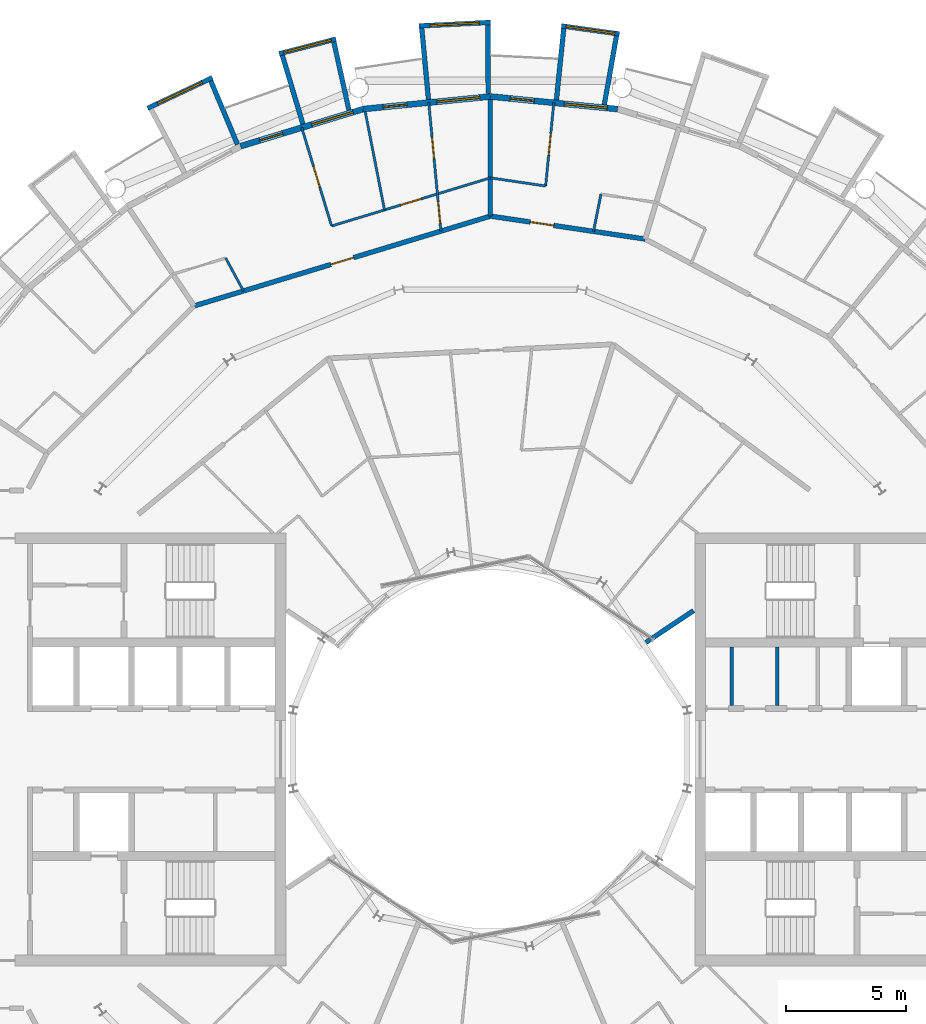
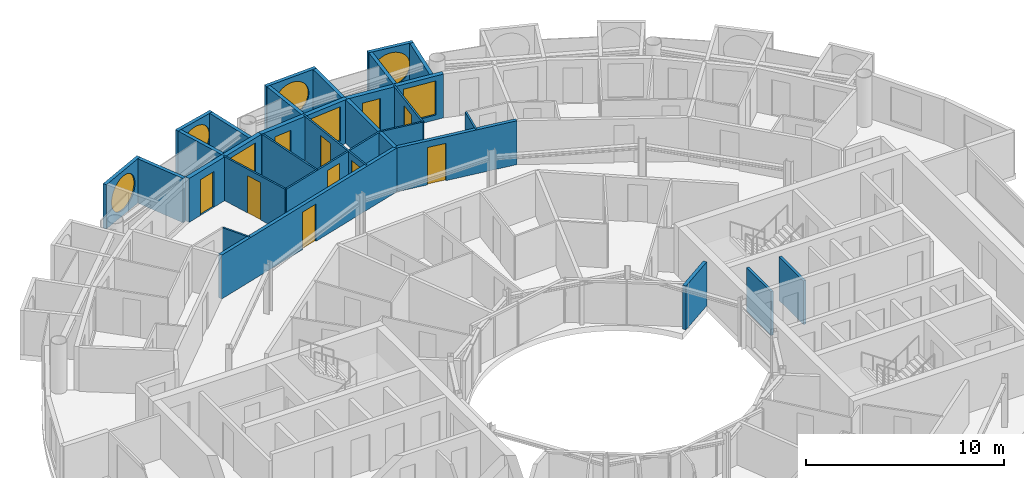
# One storey, part 22 of 29: 28 walls, 10 doors, 7 windows, 17 openings.
"""IFC4 building model written with IfcOpenShell, lengths in metres."""

from ifc_helpers import new_model, si_unit, direction, frame, frame_2d, origin, place, context, subcontext, project, spatial, rectangle, circle, extrude, material, layer, layer_set, type_object, element, fill, save


model = new_model("IFC4")

# Units and contexts
model_context = context("Model", 3, precision=1e-05, world=origin(), true_north=direction((0.0, 1.0)))
body_context = subcontext(model_context, "Body", "Model", "MODEL_VIEW")
ifc_project = project(units=[si_unit("LENGTHUNIT", "METRE"), si_unit("AREAUNIT", "SQUARE_METRE"), si_unit("VOLUMEUNIT", "CUBIC_METRE"), si_unit("PLANEANGLEUNIT", "RADIAN"), si_unit("MASSUNIT", "GRAM", prefix="KILO")], contexts=[model_context])

# Site, building, storey
site_placement = place(None, origin())
site = spatial("IfcSite", under=ifc_project, at=site_placement, CompositionType="ELEMENT")
building_placement = place(site_placement, origin())
building = spatial("IfcBuilding", under=site, at=building_placement, Name="Maasbend Ring Residences", CompositionType="ELEMENT")
storey_placement = place(building_placement, frame((0.0, 0.0, 205.449951171875)))
storey = spatial("IfcBuildingStorey", under=building, at=storey_placement, Name="L59", CompositionType="ELEMENT", Elevation=205.449951171875)

# Wall, opening, door
ifc_material_1 = material(Name="Concrete C30/37", Category="concrete")
ifc_layer_1 = layer(ifc_material_1, 0.199951171875)
ifc_layer_set_1 = layer_set([ifc_layer_1], Name="Concrete C30/37")
wall_type_1 = type_object("IfcWallType", Name="CORRIDOR WALL 200 CONCRETE", PredefinedType="PARTITIONING", material=ifc_layer_set_1)
wall_1_placement = place(storey_placement, frame((-12.388916015625, 18.5419921875, 0.0), z_axis=(0.0, 0.0, 1.0), x_axis=(0.956994750783, 0.290105234311, 0.0)))
wall_1 = element("IfcWall", 1, at=wall_1_placement, inside=storey, type_object=wall_type_1, Name="U-L59-w104", PredefinedType="PARTITIONING", context=body_context, shape_type="SweptSolid", body=[
    extrude(rectangle(XDim=12.95068359375, YDim=0.199951171875, at=frame_2d((6.475341796875, 0.0))), origin(), (0.0, 0.0, 1.0), 2.699951171875),
])
opening_1_placement = place(wall_1_placement, frame((5.97412109375, 0.0, 0.0)))
opening_1 = element("IfcOpeningElement", 2, at=opening_1_placement, cuts=wall_1, Name="Opening D-5911", PredefinedType="OPENING", context=body_context, shape_type="SweptSolid", body=[
    extrude(rectangle(XDim=1.0, YDim=2.300048828125, at=frame_2d((0.5, 1.14990234375))), frame((0.0, 0.10986328125, 0.0), z_axis=(0.0, -1.0, 0.0), x_axis=(1.0, 0.0, 0.0)), (0.0, 0.0, 1.0), 0.219970703125),
])
ifc_material_2 = material(Name="Timber, fire-rated, painted", Category="wood")
door_type_1 = type_object("IfcDoorType", Name="FLAT ENTRANCE DOOR 1000 X 2300 FIRE-RATED", OperationType="NOTDEFINED", PredefinedType="DOOR", material=ifc_material_2)
door_1_placement = place(opening_1_placement, origin())
door_1 = element("IfcDoor", 3, at=door_1_placement, inside=storey, type_object=door_type_1, Name="D-5911", OperationType="SINGLE_SWING_LEFT", OverallHeight=2.300048828125, OverallWidth=1.0, PredefinedType="DOOR", context=body_context, shape_type="SweptSolid", body=[
    extrude(rectangle(XDim=1.0, YDim=2.300048828125, at=frame_2d((0.5, 1.14990234375))), frame((0.0, 0.02490234375, 0.0), z_axis=(0.0, -1.0, 0.0), x_axis=(1.0, 0.0, 0.0)), (0.0, 0.0, 1.0), 0.050048828125),
])
fill(opening_1, door_1)

wall_2_placement = place(storey_placement, frame((0.0, 22.300048828125, 0.0), z_axis=(0.0, 0.0, 1.0), x_axis=(0.989181015112, -0.146700100005, 0.0)))
wall_2 = element("IfcWall", 4, at=wall_2_placement, inside=storey, type_object=wall_type_1, Name="U-L59-w109", PredefinedType="PARTITIONING", context=body_context, shape_type="SweptSolid", body=[
    extrude(rectangle(XDim=6.543701171875, YDim=0.199951171875, at=frame_2d((3.27197265625, 0.0))), origin(), (0.0, 0.0, 1.0), 2.699951171875),
])
opening_2_placement = place(wall_2_placement, frame((1.681884765625, 0.0, 0.0)))
opening_2 = element("IfcOpeningElement", 5, at=opening_2_placement, cuts=wall_2, Name="Opening D-5908", PredefinedType="OPENING", context=body_context, shape_type="SweptSolid", body=[
    extrude(rectangle(XDim=1.0, YDim=2.300048828125, at=frame_2d((0.5, 1.14990234375))), frame((0.0, 0.10986328125, 0.0), z_axis=(0.0, -1.0, 0.0), x_axis=(1.0, 0.0, 0.0)), (0.0, 0.0, 1.0), 0.219970703125),
])
door_2_placement = place(opening_2_placement, origin())
door_2 = element("IfcDoor", 6, at=door_2_placement, inside=storey, type_object=door_type_1, Name="D-5908", OperationType="SINGLE_SWING_LEFT", OverallHeight=2.300048828125, OverallWidth=1.0, PredefinedType="DOOR", context=body_context, shape_type="SweptSolid", body=[
    extrude(rectangle(XDim=1.0, YDim=2.300048828125, at=frame_2d((0.5, 1.14990234375))), frame((0.0, 0.02490234375, 0.0), z_axis=(0.0, -1.0, 0.0), x_axis=(1.0, 0.0, 0.0)), (0.0, 0.0, 1.0), 0.050048828125),
])
fill(opening_2, door_2)

# Wall, opening, window
ifc_material_3 = material(Name="Pale anodised aluminium panel", Category="aluminium")
ifc_layer_2 = layer(ifc_material_3, 0.199951171875)
ifc_layer_set_2 = layer_set([ifc_layer_2], Name="EW-BOX")
wall_type_2 = type_object("IfcWallType", Name="EW-BOX", PredefinedType="SOLIDWALL", material=ifc_layer_set_2)
wall_3_placement = place(storey_placement, frame((5.39794921875, 29.9169921875, -0.030029296875), z_axis=(0.0, 0.0, 1.0), x_axis=(-0.990462016113, 0.137786046596, 0.0)))
wall_3 = element("IfcWall", 7, at=wall_3_placement, inside=storey, type_object=wall_type_2, Name="Box front N09", PredefinedType="SOLIDWALL", context=body_context, shape_type="SweptSolid", body=[
    extrude(rectangle(XDim=2.4453125, YDim=0.199951171875, at=frame_2d((1.22265625, 0.0))), origin(), (0.0, 0.0, 1.0), 2.72998046875),
])
opening_3_placement = place(wall_3_placement, frame((0.182861328125, 0.0, 0.330078125)))
opening_3 = element("IfcOpeningElement", 8, at=opening_3_placement, cuts=wall_3, Name="Opening W-RD", PredefinedType="OPENING", context=body_context, shape_type="SweptSolid", body=[
    extrude(circle(Radius=1.0400390625, at=frame_2d((1.0400390625, 1.0400390625))), frame((0.0, 0.10986328125, 0.0), z_axis=(0.0, -1.0, 0.0), x_axis=(1.0, 0.0, 0.0)), (0.0, 0.0, 1.0), 0.219970703125),
])
ifc_material_4 = material(Name="Aluminium and clear glass", Category="aluminium")
window_type_1 = type_object("IfcWindowType", Name="W-RD", PartitioningType="SINGLE_PANEL", PredefinedType="WINDOW", material=ifc_material_4)
window_1_placement = place(opening_3_placement, origin())
window_1 = element("IfcWindow", 9, at=window_1_placement, inside=storey, type_object=window_type_1, Name="Round window N09", OverallHeight=2.080078125, OverallWidth=2.080078125, PartitioningType="SINGLE_PANEL", PredefinedType="WINDOW", context=body_context, shape_type="SweptSolid", body=[
    extrude(circle(Radius=1.0400390625, at=frame_2d((1.0400390625, 1.0400390625))), frame((0.0, 0.030029296875, 0.0), z_axis=(0.0, -1.0, 0.0), x_axis=(1.0, 0.0, 0.0)), (0.0, 0.0, 1.0), 0.06005859375),
])
fill(opening_3, window_1)

# Walls
wall_4_placement = place(storey_placement, frame((4.76904296875, 26.9560546875, -0.030029296875), z_axis=(0.0, 0.0, 1.0), x_axis=(0.174056778901, 0.984735618183, 0.0)))
element("IfcWall", 10, at=wall_4_placement, inside=storey, type_object=wall_type_2, Name="Box side wall N09 left", PredefinedType="SOLIDWALL", context=body_context, shape_type="SweptSolid", body=[
    extrude(rectangle(XDim=2.924560546875, YDim=0.199951171875, at=frame_2d((1.46240234375, 0.0))), origin(), (0.0, 0.0, 1.0), 2.72998046875),
])
wall_5_placement = place(storey_placement, frame((2.763916015625, 27.153076171875, -0.030029296875), z_axis=(0.0, 0.0, 1.0), x_axis=(0.101505487237, 0.994834979311, 0.0)))
element("IfcWall", 11, at=wall_5_placement, inside=storey, type_object=wall_type_2, Name="Box side wall N09 right", PredefinedType="SOLIDWALL", context=body_context, shape_type="SweptSolid", body=[
    extrude(rectangle(XDim=3.006591796875, YDim=0.199951171875, at=frame_2d((1.50341796875, 0.0))), origin(), (0.0, 0.0, 1.0), 2.72998046875),
])

# Wall, opening, window
wall_6_placement = place(storey_placement, frame((0.0048828125, 30.39990234375, -0.030029296875), z_axis=(0.0, 0.0, 1.0), x_axis=(-0.998794083011, -0.049095618353, 0.0)))
wall_6 = element("IfcWall", 12, at=wall_6_placement, inside=storey, type_object=wall_type_2, Name="Box front N11", PredefinedType="SOLIDWALL", context=body_context, shape_type="SweptSolid", body=[
    extrude(rectangle(XDim=2.99365234375, YDim=0.199951171875, at=frame_2d((1.496826171875, 0.0))), origin(), (0.0, 0.0, 1.0), 2.72998046875),
])
opening_4_placement = place(wall_6_placement, frame((0.45654296875, 0.0, 0.330078125)))
opening_4 = element("IfcOpeningElement", 13, at=opening_4_placement, cuts=wall_6, Name="Opening W-RD", PredefinedType="OPENING", context=body_context, shape_type="SweptSolid", body=[
    extrude(circle(Radius=1.0400390625, at=frame_2d((1.0400390625, 1.0400390625))), frame((0.0, 0.10986328125, 0.0), z_axis=(0.0, -1.0, 0.0), x_axis=(1.0, 0.0, 0.0)), (0.0, 0.0, 1.0), 0.219970703125),
])
window_2_placement = place(opening_4_placement, origin())
window_2 = element("IfcWindow", 14, at=window_2_placement, inside=storey, type_object=window_type_1, Name="Round window N11", OverallHeight=2.080078125, OverallWidth=2.080078125, PartitioningType="SINGLE_PANEL", PredefinedType="WINDOW", context=body_context, shape_type="SweptSolid", body=[
    extrude(circle(Radius=1.0400390625, at=frame_2d((1.0400390625, 1.0400390625))), frame((0.0, 0.030029296875, 0.0), z_axis=(0.0, -1.0, 0.0), x_axis=(1.0, 0.0, 0.0)), (0.0, 0.0, 1.0), 0.06005859375),
])
fill(opening_4, window_2)

# Walls
wall_7_placement = place(storey_placement, frame((-0.090087890625, 27.4169921875, -0.030029296875), z_axis=(0.0, 0.0, 1.0), x_axis=(-0.00347308367, 0.999993968827, 0.0)))
element("IfcWall", 15, at=wall_7_placement, inside=storey, type_object=wall_type_2, Name="Box side wall N11 left", PredefinedType="SOLIDWALL", context=body_context, shape_type="SweptSolid", body=[
    extrude(rectangle(XDim=2.882080078125, YDim=0.199951171875, at=frame_2d((1.44091796875, 0.0))), origin(), (0.0, 0.0, 1.0), 2.72998046875),
])
wall_8_placement = place(storey_placement, frame((-2.5859375, 27.1708984375, -0.030029296875), z_axis=(0.0, 0.0, 1.0), x_axis=(-0.094548432284, 0.995520262954, 0.0)))
element("IfcWall", 16, at=wall_8_placement, inside=storey, type_object=wall_type_2, Name="Box side wall N11 right", PredefinedType="SOLIDWALL", context=body_context, shape_type="SweptSolid", body=[
    extrude(rectangle(XDim=3.005615234375, YDim=0.199951171875, at=frame_2d((1.5029296875, 0.0))), origin(), (0.0, 0.0, 1.0), 2.72998046875),
])

# Wall, opening, window
wall_9_placement = place(storey_placement, frame((-6.4609375, 29.705078125, -0.030029296875), z_axis=(0.0, 0.0, 1.0), x_axis=(-0.96789536872, -0.251353446784, 0.0)))
wall_9 = element("IfcWall", 17, at=wall_9_placement, inside=storey, type_object=wall_type_2, Name="Box front N13", PredefinedType="SOLIDWALL", context=body_context, shape_type="SweptSolid", body=[
    extrude(rectangle(XDim=2.44677734375, YDim=0.199951171875, at=frame_2d((1.223388671875, 0.0))), origin(), (0.0, 0.0, 1.0), 2.72998046875),
])
opening_5_placement = place(wall_9_placement, frame((0.182861328125, 0.0, 0.330078125)))
opening_5 = element("IfcOpeningElement", 18, at=opening_5_placement, cuts=wall_9, Name="Opening W-RD", PredefinedType="OPENING", context=body_context, shape_type="SweptSolid", body=[
    extrude(circle(Radius=1.0400390625, at=frame_2d((1.0400390625, 1.0400390625))), frame((0.0, 0.10986328125, 0.0), z_axis=(0.0, -1.0, 0.0), x_axis=(1.0, 0.0, 0.0)), (0.0, 0.0, 1.0), 0.219970703125),
])
window_3_placement = place(opening_5_placement, origin())
window_3 = element("IfcWindow", 19, at=window_3_placement, inside=storey, type_object=window_type_1, Name="Round window N13", OverallHeight=2.080078125, OverallWidth=2.080078125, PartitioningType="SINGLE_PANEL", PredefinedType="WINDOW", context=body_context, shape_type="SweptSolid", body=[
    extrude(circle(Radius=1.0400390625, at=frame_2d((1.0400390625, 1.0400390625))), frame((0.0, 0.030029296875, 0.0), z_axis=(0.0, -1.0, 0.0), x_axis=(1.0, 0.0, 0.0)), (0.0, 0.0, 1.0), 0.06005859375),
])
fill(opening_5, window_3)

# Walls
wall_10_placement = place(storey_placement, frame((-5.908935546875, 26.72900390625, -0.030029296875), z_axis=(0.0, 0.0, 1.0), x_axis=(-0.216409053917, 0.976302781612, 0.0)))
element("IfcWall", 20, at=wall_10_placement, inside=storey, type_object=wall_type_2, Name="Box side wall N13 left", PredefinedType="SOLIDWALL", context=body_context, shape_type="SweptSolid", body=[
    extrude(rectangle(XDim=2.92529296875, YDim=0.199951171875, at=frame_2d((1.462646484375, 0.0))), origin(), (0.0, 0.0, 1.0), 2.72998046875),
])
wall_11_placement = place(storey_placement, frame((-7.8369140625, 26.14404296875, -0.030029296875), z_axis=(0.0, 0.0, 1.0), x_axis=(-0.287064767992, 0.957911174889, 0.0)))
element("IfcWall", 21, at=wall_11_placement, inside=storey, type_object=wall_type_2, Name="Box side wall N13 right", PredefinedType="SOLIDWALL", context=body_context, shape_type="SweptSolid", body=[
    extrude(rectangle(XDim=3.00634765625, YDim=0.199951171875, at=frame_2d((1.503173828125, 0.0))), origin(), (0.0, 0.0, 1.0), 2.72998046875),
])

# Wall, opening, window
wall_12_placement = place(storey_placement, frame((-11.62890625, 28.087890625, -0.030029296875), z_axis=(0.0, 0.0, 1.0), x_axis=(-0.904000060331, -0.427532327342, 0.0)))
wall_12 = element("IfcWall", 22, at=wall_12_placement, inside=storey, type_object=wall_type_2, Name="Box front N15", PredefinedType="SOLIDWALL", context=body_context, shape_type="SweptSolid", body=[
    extrude(rectangle(XDim=2.993408203125, YDim=0.199951171875, at=frame_2d((1.49658203125, 0.0))), origin(), (0.0, 0.0, 1.0), 2.72998046875),
])
opening_6_placement = place(wall_12_placement, frame((0.45654296875, 0.0, 0.330078125)))
opening_6 = element("IfcOpeningElement", 23, at=opening_6_placement, cuts=wall_12, Name="Opening W-RD", PredefinedType="OPENING", context=body_context, shape_type="SweptSolid", body=[
    extrude(circle(Radius=1.0400390625, at=frame_2d((1.0400390625, 1.0400390625))), frame((0.0, 0.10986328125, 0.0), z_axis=(0.0, -1.0, 0.0), x_axis=(1.0, 0.0, 0.0)), (0.0, 0.0, 1.0), 0.219970703125),
])
window_4_placement = place(opening_6_placement, origin())
window_4 = element("IfcWindow", 24, at=window_4_placement, inside=storey, type_object=window_type_1, Name="Round window N15", OverallHeight=2.080078125, OverallWidth=2.080078125, PartitioningType="SINGLE_PANEL", PredefinedType="WINDOW", context=body_context, shape_type="SweptSolid", body=[
    extrude(circle(Radius=1.0400390625, at=frame_2d((1.0400390625, 1.0400390625))), frame((0.0, 0.030029296875, 0.0), z_axis=(0.0, -1.0, 0.0), x_axis=(1.0, 0.0, 0.0)), (0.0, 0.0, 1.0), 0.06005859375),
])
fill(opening_6, window_4)

# Wall
wall_13_placement = place(storey_placement, frame((-10.574951171875, 25.294921875, -0.030029296875), z_axis=(0.0, 0.0, 1.0), x_axis=(-0.385697364644, 0.922625353492, 0.0)))
element("IfcWall", 25, at=wall_13_placement, inside=storey, type_object=wall_type_2, Name="Box side wall N15 left", PredefinedType="SOLIDWALL", context=body_context, shape_type="SweptSolid", body=[
    extrude(rectangle(XDim=2.88330078125, YDim=0.199951171875, at=frame_2d((1.441650390625, 0.0))), origin(), (0.0, 0.0, 1.0), 2.72998046875),
])

# Wall, openings, door, window
ifc_material_5 = material(Name="Aluminium clad insulated panel", Category="aluminium")
ifc_layer_3 = layer(ifc_material_5, 0.25)
ifc_layer_set_3 = layer_set([ifc_layer_3], Name="EW-GL")
wall_type_3 = type_object("IfcWallType", Name="EW-GL", PredefinedType="SOLIDWALL", material=ifc_layer_set_3)
wall_14_placement = place(storey_placement, frame((5.325927734375, 26.77490234375, 0.0), z_axis=(0.0, 0.0, 1.0), x_axis=(-0.995173996315, 0.098126026407, 0.0)))
wall_14 = element("IfcWall", 26, at=wall_14_placement, inside=storey, type_object=wall_type_3, Name="External wall N05", PredefinedType="SOLIDWALL", context=body_context, shape_type="SweptSolid", body=[
    extrude(rectangle(XDim=5.351806640625, YDim=0.25, at=frame_2d((2.67578125, 0.0))), origin(), (0.0, 0.0, 1.0), 2.699951171875),
])
opening_7_placement = place(wall_14_placement, frame((0.441162109375, 0.0, 0.300048828125)))
opening_7 = element("IfcOpeningElement", 27, at=opening_7_placement, cuts=wall_14, Name="Opening W-BX", PredefinedType="OPENING", context=body_context, shape_type="SweptSolid", body=[
    extrude(rectangle(XDim=1.800048828125, YDim=2.10009765625, at=frame_2d((0.89990234375, 1.050048828125))), frame((0.0, 0.135009765625, 0.0), z_axis=(0.0, -1.0, 0.0), x_axis=(1.0, 0.0, 0.0)), (0.0, 0.0, 1.0), 0.27001953125),
])
opening_8_placement = place(wall_14_placement, frame((3.510498046875, 0.0, 0.0)))
opening_8 = element("IfcOpeningElement", 28, at=opening_8_placement, cuts=wall_14, Name="Opening D-LG", PredefinedType="OPENING", context=body_context, shape_type="SweptSolid", body=[
    extrude(rectangle(XDim=1.0, YDim=2.199951171875, at=frame_2d((0.5, 1.10009765625))), frame((0.0, 0.135009765625, 0.0), z_axis=(0.0, -1.0, 0.0), x_axis=(1.0, 0.0, 0.0)), (0.0, 0.0, 1.0), 0.27001953125),
])
ifc_material_6 = material(Name="Aluminium and clear glass", Category="aluminium")
door_type_2 = type_object("IfcDoorType", Name="D-LG", OperationType="SINGLE_SWING_LEFT", PredefinedType="DOOR", material=ifc_material_6)
door_3_placement = place(opening_8_placement, origin())
door_3 = element("IfcDoor", 29, at=door_3_placement, inside=storey, type_object=door_type_2, Name="Loggia door N10", OperationType="SINGLE_SWING_LEFT", OverallHeight=2.199951171875, OverallWidth=1.0, PredefinedType="DOOR", context=body_context, shape_type="SweptSolid", body=[
    extrude(rectangle(XDim=1.0, YDim=2.199951171875, at=frame_2d((0.5, 1.10009765625))), frame((0.0, 0.02490234375, 0.0), z_axis=(0.0, -1.0, 0.0), x_axis=(1.0, 0.0, 0.0)), (0.0, 0.0, 1.0), 0.050048828125),
])
fill(opening_8, door_3)
ifc_material_7 = material(Name="Aluminium and clear glass", Category="aluminium")
window_type_2 = type_object("IfcWindowType", Name="W-BX", PartitioningType="DOUBLE_PANEL_VERTICAL", PredefinedType="WINDOW", material=ifc_material_7)
window_5_placement = place(opening_7_placement, origin())
window_5 = element("IfcWindow", 30, at=window_5_placement, inside=storey, type_object=window_type_2, Name="Window N09 room to box", OverallHeight=2.10009765625, OverallWidth=1.800048828125, PartitioningType="SINGLE_PANEL", PredefinedType="WINDOW", context=body_context, shape_type="SweptSolid", body=[
    extrude(rectangle(XDim=1.800048828125, YDim=2.10009765625, at=frame_2d((0.89990234375, 1.050048828125))), frame((0.0, 0.030029296875, 0.0), z_axis=(0.0, -1.0, 0.0), x_axis=(1.0, 0.0, 0.0)), (0.0, 0.0, 1.0), 0.06005859375),
])
fill(opening_7, window_5)

wall_15_placement = place(storey_placement, frame((0.0, 27.300048828125, 0.0), z_axis=(0.0, 0.0, 1.0), x_axis=(-0.995173996315, -0.098126026407, 0.0)))
wall_15 = element("IfcWall", 31, at=wall_15_placement, inside=storey, type_object=wall_type_3, Name="External wall N06", PredefinedType="SOLIDWALL", context=body_context, shape_type="SweptSolid", body=[
    extrude(rectangle(XDim=5.351806640625, YDim=0.25, at=frame_2d((2.67578125, 0.0))), origin(), (0.0, 0.0, 1.0), 2.699951171875),
])
opening_9_placement = place(wall_15_placement, frame((0.441162109375, 0.0, 0.300048828125)))
opening_9 = element("IfcOpeningElement", 32, at=opening_9_placement, cuts=wall_15, Name="Opening W-BX", PredefinedType="OPENING", context=body_context, shape_type="SweptSolid", body=[
    extrude(rectangle(XDim=1.800048828125, YDim=2.10009765625, at=frame_2d((0.89990234375, 1.050048828125))), frame((0.0, 0.135009765625, 0.0), z_axis=(0.0, -1.0, 0.0), x_axis=(1.0, 0.0, 0.0)), (0.0, 0.0, 1.0), 0.27001953125),
])
opening_10_placement = place(wall_15_placement, frame((3.510498046875, 0.0, 0.0)))
opening_10 = element("IfcOpeningElement", 33, at=opening_10_placement, cuts=wall_15, Name="Opening D-LG", PredefinedType="OPENING", context=body_context, shape_type="SweptSolid", body=[
    extrude(rectangle(XDim=1.0, YDim=2.199951171875, at=frame_2d((0.5, 1.10009765625))), frame((0.0, 0.135009765625, 0.0), z_axis=(0.0, -1.0, 0.0), x_axis=(1.0, 0.0, 0.0)), (0.0, 0.0, 1.0), 0.27001953125),
])
door_4_placement = place(opening_10_placement, origin())
door_4 = element("IfcDoor", 34, at=door_4_placement, inside=storey, type_object=door_type_2, Name="Loggia door N12", OperationType="SINGLE_SWING_LEFT", OverallHeight=2.199951171875, OverallWidth=1.0, PredefinedType="DOOR", context=body_context, shape_type="SweptSolid", body=[
    extrude(rectangle(XDim=1.0, YDim=2.199951171875, at=frame_2d((0.5, 1.10009765625))), frame((0.0, 0.02490234375, 0.0), z_axis=(0.0, -1.0, 0.0), x_axis=(1.0, 0.0, 0.0)), (0.0, 0.0, 1.0), 0.050048828125),
])
fill(opening_10, door_4)
window_6_placement = place(opening_9_placement, origin())
window_6 = element("IfcWindow", 35, at=window_6_placement, inside=storey, type_object=window_type_2, Name="Window N11 room to box", OverallHeight=2.10009765625, OverallWidth=1.800048828125, PartitioningType="SINGLE_PANEL", PredefinedType="WINDOW", context=body_context, shape_type="SweptSolid", body=[
    extrude(rectangle(XDim=1.800048828125, YDim=2.10009765625, at=frame_2d((0.89990234375, 1.050048828125))), frame((0.0, 0.030029296875, 0.0), z_axis=(0.0, -1.0, 0.0), x_axis=(1.0, 0.0, 0.0)), (0.0, 0.0, 1.0), 0.06005859375),
])
fill(opening_9, window_6)

wall_16_placement = place(storey_placement, frame((-5.325927734375, 26.77490234375, 0.0), z_axis=(0.0, 0.0, 1.0), x_axis=(-0.956965678721, -0.290201119486, 0.0)))
wall_16 = element("IfcWall", 36, at=wall_16_placement, inside=storey, type_object=wall_type_3, Name="External wall N07", PredefinedType="SOLIDWALL", context=body_context, shape_type="SweptSolid", body=[
    extrude(rectangle(XDim=5.351318359375, YDim=0.25, at=frame_2d((2.67578125, 0.0))), origin(), (0.0, 0.0, 1.0), 2.699951171875),
])
opening_11_placement = place(wall_16_placement, frame((0.441162109375, 0.0, 0.300048828125)))
opening_11 = element("IfcOpeningElement", 37, at=opening_11_placement, cuts=wall_16, Name="Opening W-BX", PredefinedType="OPENING", context=body_context, shape_type="SweptSolid", body=[
    extrude(rectangle(XDim=1.800048828125, YDim=2.10009765625, at=frame_2d((0.89990234375, 1.050048828125))), frame((0.0, 0.135009765625, 0.0), z_axis=(0.0, -1.0, 0.0), x_axis=(1.0, 0.0, 0.0)), (0.0, 0.0, 1.0), 0.27001953125),
])
opening_12_placement = place(wall_16_placement, frame((3.510498046875, 0.0, 0.0)))
opening_12 = element("IfcOpeningElement", 38, at=opening_12_placement, cuts=wall_16, Name="Opening D-LG", PredefinedType="OPENING", context=body_context, shape_type="SweptSolid", body=[
    extrude(rectangle(XDim=1.0, YDim=2.199951171875, at=frame_2d((0.5, 1.10009765625))), frame((0.0, 0.135009765625, 0.0), z_axis=(0.0, -1.0, 0.0), x_axis=(1.0, 0.0, 0.0)), (0.0, 0.0, 1.0), 0.27001953125),
])
door_5_placement = place(opening_12_placement, origin())
door_5 = element("IfcDoor", 39, at=door_5_placement, inside=storey, type_object=door_type_2, Name="Loggia door N14", OperationType="SINGLE_SWING_LEFT", OverallHeight=2.199951171875, OverallWidth=1.0, PredefinedType="DOOR", context=body_context, shape_type="SweptSolid", body=[
    extrude(rectangle(XDim=1.0, YDim=2.199951171875, at=frame_2d((0.5, 1.10009765625))), frame((0.0, 0.02490234375, 0.0), z_axis=(0.0, -1.0, 0.0), x_axis=(1.0, 0.0, 0.0)), (0.0, 0.0, 1.0), 0.050048828125),
])
fill(opening_12, door_5)
window_7_placement = place(opening_11_placement, origin())
window_7 = element("IfcWindow", 40, at=window_7_placement, inside=storey, type_object=window_type_2, Name="Window N13 room to box", OverallHeight=2.10009765625, OverallWidth=1.800048828125, PartitioningType="SINGLE_PANEL", PredefinedType="WINDOW", context=body_context, shape_type="SweptSolid", body=[
    extrude(rectangle(XDim=1.800048828125, YDim=2.10009765625, at=frame_2d((0.89990234375, 1.050048828125))), frame((0.0, 0.030029296875, 0.0), z_axis=(0.0, -1.0, 0.0), x_axis=(1.0, 0.0, 0.0)), (0.0, 0.0, 1.0), 0.06005859375),
])
fill(opening_11, window_7)

# Wall
ifc_material_8 = material(Name="Gypsum board on steel studs", Category="steel")
ifc_layer_4 = layer(ifc_material_8, 0.10009765625)
ifc_layer_set_4 = layer_set([ifc_layer_4], Name="PARTITION 100 GYPSUM")
wall_type_4 = type_object("IfcWallType", Name="PARTITION 100 GYPSUM", PredefinedType="PARTITIONING", material=ifc_layer_set_4)
wall_17_placement = place(storey_placement, frame((4.31591796875, 21.659912109375, 0.0), z_axis=(0.0, 0.0, 1.0), x_axis=(0.195049398273, 0.980793419754, 0.0)))
element("IfcWall", 41, at=wall_17_placement, inside=storey, type_object=wall_type_4, Name="U-L59-w033", PredefinedType="PARTITIONING", context=body_context, shape_type="SweptSolid", body=[
    extrude(rectangle(XDim=1.584716796875, YDim=0.10009765625, at=frame_2d((0.79248046875, 0.0))), origin(), (0.0, 0.0, 1.0), 2.699951171875),
])

# Wall, opening, door
wall_18_placement = place(storey_placement, frame((-7.887939453125, 26.0048828125, 0.0), z_axis=(0.0, 0.0, 1.0), x_axis=(0.290193157742, -0.956968093094, 0.0)))
wall_18 = element("IfcWall", 42, at=wall_18_placement, inside=storey, type_object=wall_type_4, Name="U-L59-w052", PredefinedType="PARTITIONING", context=body_context, shape_type="SweptSolid", body=[
    extrude(rectangle(XDim=4.30419921875, YDim=0.10009765625, at=frame_2d((2.152099609375, 0.0))), origin(), (0.0, 0.0, 1.0), 2.699951171875),
])
opening_13_placement = place(wall_18_placement, frame((1.701904296875, 0.0, 0.0)))
opening_13 = element("IfcOpeningElement", 43, at=opening_13_placement, cuts=wall_18, Name="Opening D-5914", PredefinedType="OPENING", context=body_context, shape_type="SweptSolid", body=[
    extrude(rectangle(XDim=0.89990234375, YDim=2.300048828125, at=frame_2d((0.449951171875, 1.14990234375))), frame((0.0, 0.06005859375, 0.0), z_axis=(0.0, -1.0, 0.0), x_axis=(1.0, 0.0, 0.0)), (0.0, 0.0, 1.0), 0.1201171875),
])
ifc_material_9 = material(Name="Timber, painted", Category="wood")
door_type_3 = type_object("IfcDoorType", Name="INTERNAL DOOR 900 X 2300", OperationType="NOTDEFINED", PredefinedType="DOOR", material=ifc_material_9)
door_6_placement = place(opening_13_placement, origin())
door_6 = element("IfcDoor", 44, at=door_6_placement, inside=storey, type_object=door_type_3, Name="D-5914", OperationType="SINGLE_SWING_LEFT", OverallHeight=2.300048828125, OverallWidth=0.89990234375, PredefinedType="DOOR", context=body_context, shape_type="SweptSolid", body=[
    extrude(rectangle(XDim=0.89990234375, YDim=2.300048828125, at=frame_2d((0.449951171875, 1.14990234375))), frame((0.0, 0.02490234375, 0.0), z_axis=(0.0, -1.0, 0.0), x_axis=(1.0, 0.0, 0.0)), (0.0, 0.0, 1.0), 0.050048828125),
])
fill(opening_13, door_6)

# Wall
wall_19_placement = place(storey_placement, frame((-5.23193359375, 26.6669921875, 0.0), z_axis=(0.0, 0.0, 1.0), x_axis=(0.192415561348, -0.981313533867, 0.0)))
element("IfcWall", 45, at=wall_19_placement, inside=storey, type_object=wall_type_4, Name="U-L59-w056", PredefinedType="PARTITIONING", context=body_context, shape_type="SweptSolid", body=[
    extrude(rectangle(XDim=4.1884765625, YDim=0.10009765625, at=frame_2d((2.09423828125, 0.0))), origin(), (0.0, 0.0, 1.0), 2.699951171875),
])

# Wall, openings, doors
wall_20_placement = place(storey_placement, frame((-2.576904296875, 27.052978515625, 0.0), z_axis=(0.0, 0.0, 1.0), x_axis=(0.094751520537, -0.99550095397, 0.0)))
wall_20 = element("IfcWall", 46, at=wall_20_placement, inside=storey, type_object=wall_type_4, Name="U-L59-w059", PredefinedType="PARTITIONING", context=body_context, shape_type="SweptSolid", body=[
    extrude(rectangle(XDim=5.4033203125, YDim=0.10009765625, at=frame_2d((2.70166015625, 0.0))), origin(), (0.0, 0.0, 1.0), 2.699951171875),
])
opening_14_placement = place(wall_20_placement, frame((4.172119140625, 0.0, 0.0)))
opening_14 = element("IfcOpeningElement", 47, at=opening_14_placement, cuts=wall_20, Name="Opening D-5913", PredefinedType="OPENING", context=body_context, shape_type="SweptSolid", body=[
    extrude(rectangle(XDim=0.89990234375, YDim=2.300048828125, at=frame_2d((0.449951171875, 1.14990234375))), frame((0.0, 0.06005859375, 0.0), z_axis=(0.0, -1.0, 0.0), x_axis=(1.0, 0.0, 0.0)), (0.0, 0.0, 1.0), 0.1201171875),
])
opening_15_placement = place(wall_20_placement, frame((1.470947265625, 0.0, 0.0)))
opening_15 = element("IfcOpeningElement", 48, at=opening_15_placement, cuts=wall_20, Name="Opening D-5916", PredefinedType="OPENING", context=body_context, shape_type="SweptSolid", body=[
    extrude(rectangle(XDim=0.89990234375, YDim=2.300048828125, at=frame_2d((0.449951171875, 1.14990234375))), frame((0.0, 0.06005859375, 0.0), z_axis=(0.0, -1.0, 0.0), x_axis=(1.0, 0.0, 0.0)), (0.0, 0.0, 1.0), 0.1201171875),
])
door_7_placement = place(opening_14_placement, origin())
door_7 = element("IfcDoor", 49, at=door_7_placement, inside=storey, type_object=door_type_3, Name="D-5913", OperationType="SINGLE_SWING_RIGHT", OverallHeight=2.300048828125, OverallWidth=0.89990234375, PredefinedType="DOOR", context=body_context, shape_type="SweptSolid", body=[
    extrude(rectangle(XDim=0.89990234375, YDim=2.300048828125, at=frame_2d((0.449951171875, 1.14990234375))), frame((0.0, 0.02490234375, 0.0), z_axis=(0.0, -1.0, 0.0), x_axis=(1.0, 0.0, 0.0)), (0.0, 0.0, 1.0), 0.050048828125),
])
fill(opening_14, door_7)
door_8_placement = place(opening_15_placement, origin())
door_8 = element("IfcDoor", 50, at=door_8_placement, inside=storey, type_object=door_type_3, Name="D-5916", OperationType="SINGLE_SWING_LEFT", OverallHeight=2.300048828125, OverallWidth=0.89990234375, PredefinedType="DOOR", context=body_context, shape_type="SweptSolid", body=[
    extrude(rectangle(XDim=0.89990234375, YDim=2.300048828125, at=frame_2d((0.449951171875, 1.14990234375))), frame((0.0, 0.02490234375, 0.0), z_axis=(0.0, -1.0, 0.0), x_axis=(1.0, 0.0, 0.0)), (0.0, 0.0, 1.0), 0.050048828125),
])
fill(opening_15, door_8)

# Wall, opening, door
wall_21_placement = place(storey_placement, frame((2.31298828125, 23.556884765625, 0.0), z_axis=(0.0, 0.0, 1.0), x_axis=(0.09759306994, 0.995226402734, 0.0)))
wall_21 = element("IfcWall", 51, at=wall_21_placement, inside=storey, type_object=wall_type_4, Name="U-L59-w068", PredefinedType="PARTITIONING", context=body_context, shape_type="SweptSolid", body=[
    extrude(rectangle(XDim=3.5048828125, YDim=0.10009765625, at=frame_2d((1.75244140625, 0.0))), origin(), (0.0, 0.0, 1.0), 2.699951171875),
])
opening_16_placement = place(wall_21_placement, frame((1.302001953125, 0.0, 0.0)))
opening_16 = element("IfcOpeningElement", 52, at=opening_16_placement, cuts=wall_21, Name="Opening D-5910", PredefinedType="OPENING", context=body_context, shape_type="SweptSolid", body=[
    extrude(rectangle(XDim=0.89990234375, YDim=2.300048828125, at=frame_2d((0.449951171875, 1.14990234375))), frame((0.0, 0.06005859375, 0.0), z_axis=(0.0, -1.0, 0.0), x_axis=(1.0, 0.0, 0.0)), (0.0, 0.0, 1.0), 0.1201171875),
])
door_9_placement = place(opening_16_placement, origin())
door_9 = element("IfcDoor", 53, at=door_9_placement, inside=storey, type_object=door_type_3, Name="D-5910", OperationType="SINGLE_SWING_LEFT", OverallHeight=2.300048828125, OverallWidth=0.89990234375, PredefinedType="DOOR", context=body_context, shape_type="SweptSolid", body=[
    extrude(rectangle(XDim=0.89990234375, YDim=2.300048828125, at=frame_2d((0.449951171875, 1.14990234375))), frame((0.0, 0.02490234375, 0.0), z_axis=(0.0, -1.0, 0.0), x_axis=(1.0, 0.0, 0.0)), (0.0, 0.0, 1.0), 0.050048828125),
])
fill(opening_16, door_9)

# Wall
wall_22_placement = place(storey_placement, frame((-11.06494140625, 20.54296875, 0.0), z_axis=(0.0, 0.0, 1.0), x_axis=(0.474388748528, -0.880315463496, 0.0)))
element("IfcWall", 54, at=wall_22_placement, inside=storey, type_object=wall_type_4, Name="U-L59-w089", PredefinedType="PARTITIONING", context=body_context, shape_type="SweptSolid", body=[
    extrude(rectangle(XDim=1.56201171875, YDim=0.10009765625, at=frame_2d((0.781005859375, 0.0))), origin(), (0.0, 0.0, 1.0), 2.699951171875),
])

# Wall, opening, door
wall_23_placement = place(storey_placement, frame((-6.638916015625, 21.885009765625, 0.0), z_axis=(0.0, 0.0, 1.0), x_axis=(0.956990364662, 0.290119702785, 0.0)))
wall_23 = element("IfcWall", 55, at=wall_23_placement, inside=storey, type_object=wall_type_4, Name="U-L59-w114", PredefinedType="PARTITIONING", context=body_context, shape_type="SweptSolid", body=[
    extrude(rectangle(XDim=6.938232421875, YDim=0.10009765625, at=frame_2d((3.46923828125, 0.0))), origin(), (0.0, 0.0, 1.0), 2.699951171875),
])
opening_17_placement = place(wall_23_placement, frame((3.02197265625, 0.0, 0.0)))
opening_17 = element("IfcOpeningElement", 56, at=opening_17_placement, cuts=wall_23, Name="Opening D-5915", PredefinedType="OPENING", context=body_context, shape_type="SweptSolid", body=[
    extrude(rectangle(XDim=0.89990234375, YDim=2.300048828125, at=frame_2d((0.449951171875, 1.14990234375))), frame((0.0, 0.06005859375, 0.0), z_axis=(0.0, -1.0, 0.0), x_axis=(1.0, 0.0, 0.0)), (0.0, 0.0, 1.0), 0.1201171875),
])
door_10_placement = place(opening_17_placement, origin())
door_10 = element("IfcDoor", 57, at=door_10_placement, inside=storey, type_object=door_type_3, Name="D-5915", OperationType="SINGLE_SWING_RIGHT", OverallHeight=2.300048828125, OverallWidth=0.89990234375, PredefinedType="DOOR", context=body_context, shape_type="SweptSolid", body=[
    extrude(rectangle(XDim=0.89990234375, YDim=2.300048828125, at=frame_2d((0.449951171875, 1.14990234375))), frame((0.0, 0.02490234375, 0.0), z_axis=(0.0, -1.0, 0.0), x_axis=(1.0, 0.0, 0.0)), (0.0, 0.0, 1.0), 0.050048828125),
])
fill(opening_17, door_10)

# Walls
wall_24_placement = place(storey_placement, frame((0.0, 23.89990234375, 0.0), z_axis=(0.0, 0.0, 1.0), x_axis=(0.989181588285, -0.146696235121, 0.0)))
element("IfcWall", 58, at=wall_24_placement, inside=storey, type_object=wall_type_4, Name="U-L59-w119", PredefinedType="PARTITIONING", context=body_context, shape_type="SweptSolid", body=[
    extrude(rectangle(XDim=2.33837890625, YDim=0.10009765625, at=frame_2d((1.169189453125, 0.0))), origin(), (0.0, 0.0, 1.0), 2.699951171875),
])
ifc_material_10 = material(Name="Gypsum board on steel studs", Category="steel")
ifc_layer_5 = layer(ifc_material_10, 0.14990234375)
ifc_layer_set_5 = layer_set([ifc_layer_5], Name="PARTITION 150 EI 60")
wall_type_5 = type_object("IfcWallType", Name="PARTITION 150 EI 60", PredefinedType="PARTITIONING", material=ifc_layer_set_5)
for number, where, z_axis, x_axis, name in (
    (59, (10.10009765625, 1.824951171875, 0.0), (0.0, 0.0, 1.0), (0.0, 1.0, 0.0), "L59 core E wall PRN1010"),
    (60, (12.0, 1.824951171875, 0.0), (0.0, 0.0, 1.0), (0.0, 1.0, 0.0), "L59 core E wall PRN1200"),
):
    element("IfcWall", number, at=place(storey_placement, frame(where, z_axis=z_axis, x_axis=x_axis)), inside=storey, type_object=wall_type_5, Name=name, PredefinedType="PARTITIONING", context=body_context, shape_type="SweptSolid", body=[
        extrude(rectangle(XDim=2.449951171875, YDim=0.14990234375, at=frame_2d((1.22509765625, 0.0))), origin(), (0.0, 0.0, 1.0), 2.699951171875),
    ])
ifc_material_11 = material(Name="Concrete C30/37", Category="concrete")
ifc_layer_6 = layer(ifc_material_11, 0.199951171875)
ifc_layer_set_6 = layer_set([ifc_layer_6], Name="Concrete C30/37")
wall_type_6 = type_object("IfcWallType", Name="PARTY WALL 200 CONCRETE", PredefinedType="PARTITIONING", material=ifc_layer_set_6)
wall_25_placement = place(storey_placement, frame((0.0, 22.300048828125, 0.0), z_axis=(0.0, 0.0, 1.0), x_axis=(0.0, 1.0, 0.0)))
element("IfcWall", 61, at=wall_25_placement, inside=storey, type_object=wall_type_6, Name="U-L59-w064", PredefinedType="PARTITIONING", context=body_context, shape_type="SweptSolid", body=[
    extrude(rectangle(XDim=4.875, YDim=0.199951171875, at=frame_2d((2.4375, 0.0))), origin(), (0.0, 0.0, 1.0), 2.699951171875),
])
wall_26_placement = place(storey_placement, frame((6.512939453125, 4.471923828125, 0.0), z_axis=(0.0, 0.0, 1.0), x_axis=(0.831403409976, 0.555669299026, 0.0)))
element("IfcWall", 62, at=wall_26_placement, inside=storey, type_object=wall_type_6, Name="U-L59-w092", PredefinedType="PARTITIONING", context=body_context, shape_type="SweptSolid", body=[
    extrude(rectangle(XDim=2.382568359375, YDim=0.199951171875, at=frame_2d((1.19140625, 0.0))), origin(), (0.0, 0.0, 1.0), 2.699951171875),
])

save(model, "model.ifc")
